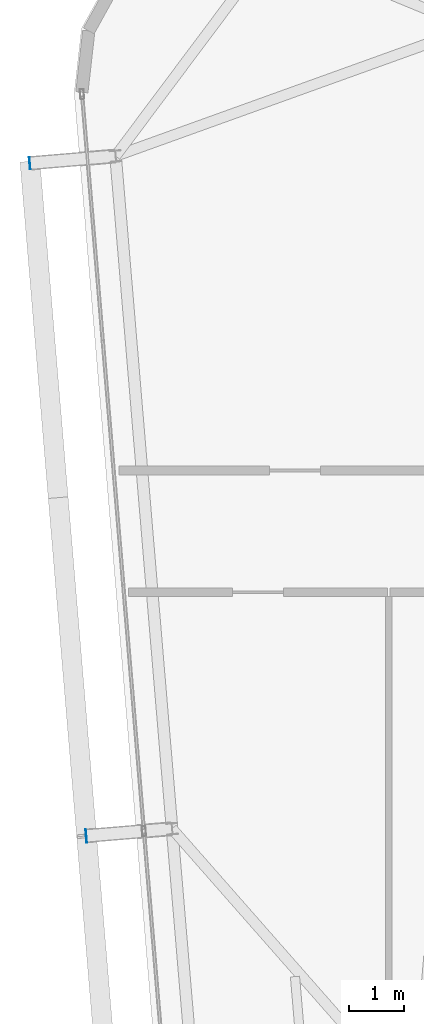
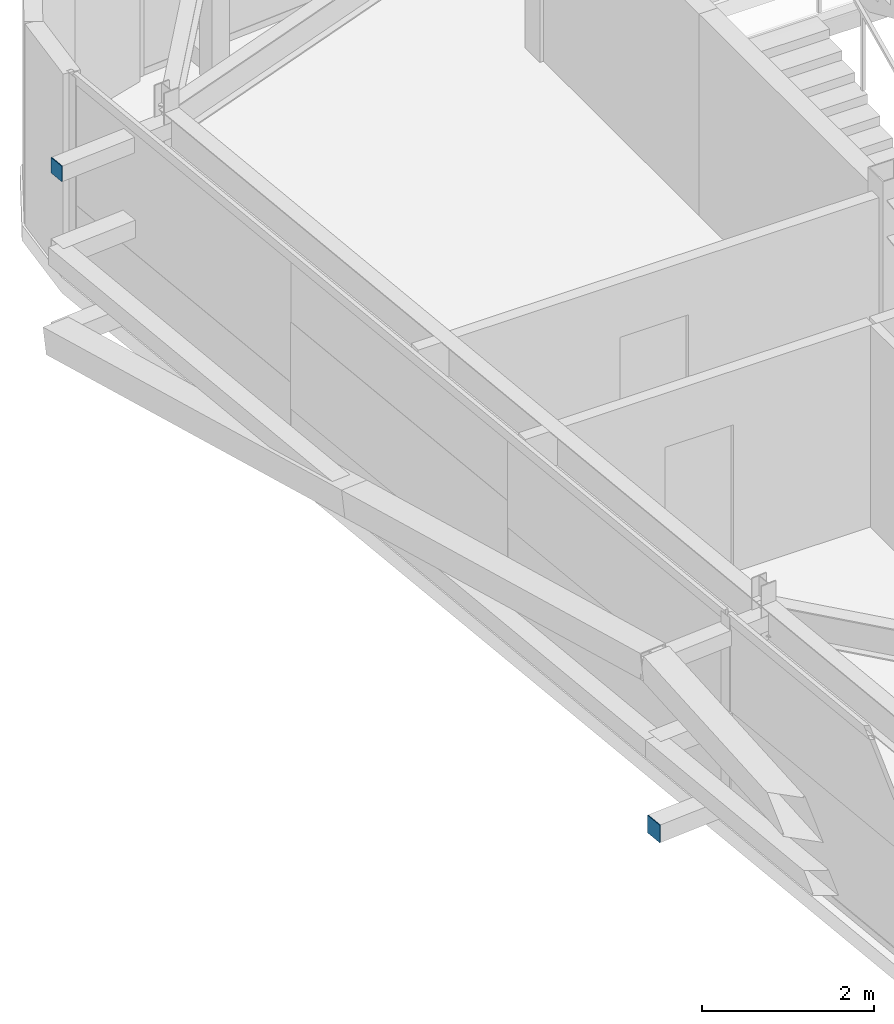
# One storey, part 29 of 39: 2 plates.
"""IFC4 building model written with IfcOpenShell, lengths in metres."""

from ifc_helpers import new_model, si_unit, direction, frame, origin, origin_2d, place, context, subcontext, project, spatial, rectangle, extrude, source, transform, mapped, material, layer, layer_set, type_object, element, save


model = new_model("IFC4")

# Units and contexts
model_context = context("Model", 3, precision=1e-05, world=origin(), true_north=direction((0.0, 1.0)))
body_context = subcontext(model_context, "Body", "Model", "MODEL_VIEW")
ifc_project = project(units=[si_unit("LENGTHUNIT", "METRE"), si_unit("AREAUNIT", "SQUARE_METRE"), si_unit("VOLUMEUNIT", "CUBIC_METRE"), si_unit("PLANEANGLEUNIT", "RADIAN"), si_unit("MASSUNIT", "GRAM", prefix="KILO")], contexts=[model_context])

# Site, building, storey
site_placement = place(None, origin())
site = spatial("IfcSite", under=ifc_project, at=site_placement, CompositionType="ELEMENT")
building_placement = place(site_placement, origin())
building = spatial("IfcBuilding", under=site, at=building_placement, Name="Taldren Reach Tower", CompositionType="ELEMENT")
storey_placement = place(building_placement, frame((0.0, 0.0, 204.050048828125)))
storey = spatial("IfcBuildingStorey", under=building, at=storey_placement, Name="L62", CompositionType="ELEMENT", Elevation=204.050048828125)

# Plates
ifc_material_1 = material(Name="Steel Gr 350 (C350L0)", Category="steel")
ifc_layer_1 = layer(ifc_material_1, 0.011962890625)
ifc_layer_set_1 = layer_set([ifc_layer_1], Name="Steel Gr 350 (C350L0)")
plate_type_1 = type_object("IfcPlateType", Name="PL-CAP-250", PredefinedType="SHEET", material=ifc_layer_set_1)
shared_shape_1 = source(origin(), body_context, "Body", "SweptSolid", [
    extrude(rectangle(XDim=0.011962890625, YDim=0.25, at=origin_2d()), origin(), (0.0, 0.0, 1.0), 0.25),
])
plate_1_placement = place(storey_placement, frame((12.0322265625, 17.39501953125, 0.094970703125), z_axis=(0.0, 0.0, 1.0), x_axis=(0.99649285925, 0.083677843332, 0.0)))
element("IfcPlate", 1, at=plate_1_placement, inside=storey, type_object=plate_type_1, Name="Tie strut end cap plate B4-W2 L62", PredefinedType="SHEET", context=body_context, shape_type="MappedRepresentation", body=[
    mapped(shared_shape_1, transform((0.0, 0.0, 0.0), scale=1.0)),
])
ifc_material_2 = material(Name="Steel Gr 450 (C450L0)", Category="steel")
ifc_layer_2 = layer(ifc_material_2, 0.011962890625)
ifc_layer_set_2 = layer_set([ifc_layer_2], Name="Steel Gr 450 (C450L0)")
plate_type_2 = type_object("IfcPlateType", Name="PL-CAP-220", PredefinedType="SHEET", material=ifc_layer_set_2)
shared_shape_2 = source(origin(), body_context, "Body", "SweptSolid", [
    extrude(rectangle(XDim=0.011962890625, YDim=0.219970703125, at=origin_2d()), origin(), (0.0, 0.0, 1.0), 0.219970703125),
])
plate_2_placement = place(storey_placement, frame((11.011474609375, 29.55224609375, 2.47998046875), z_axis=(0.0, 0.0, 1.0), x_axis=(0.99649285925, 0.083677843332, 0.0)))
element("IfcPlate", 2, at=plate_2_placement, inside=storey, type_object=plate_type_2, Name="Tie strut end cap plate B4-W3 L62", PredefinedType="SHEET", context=body_context, shape_type="MappedRepresentation", body=[
    mapped(shared_shape_2, transform((0.0, 0.0, 0.0), scale=1.0)),
])

save(model, "model.ifc")
